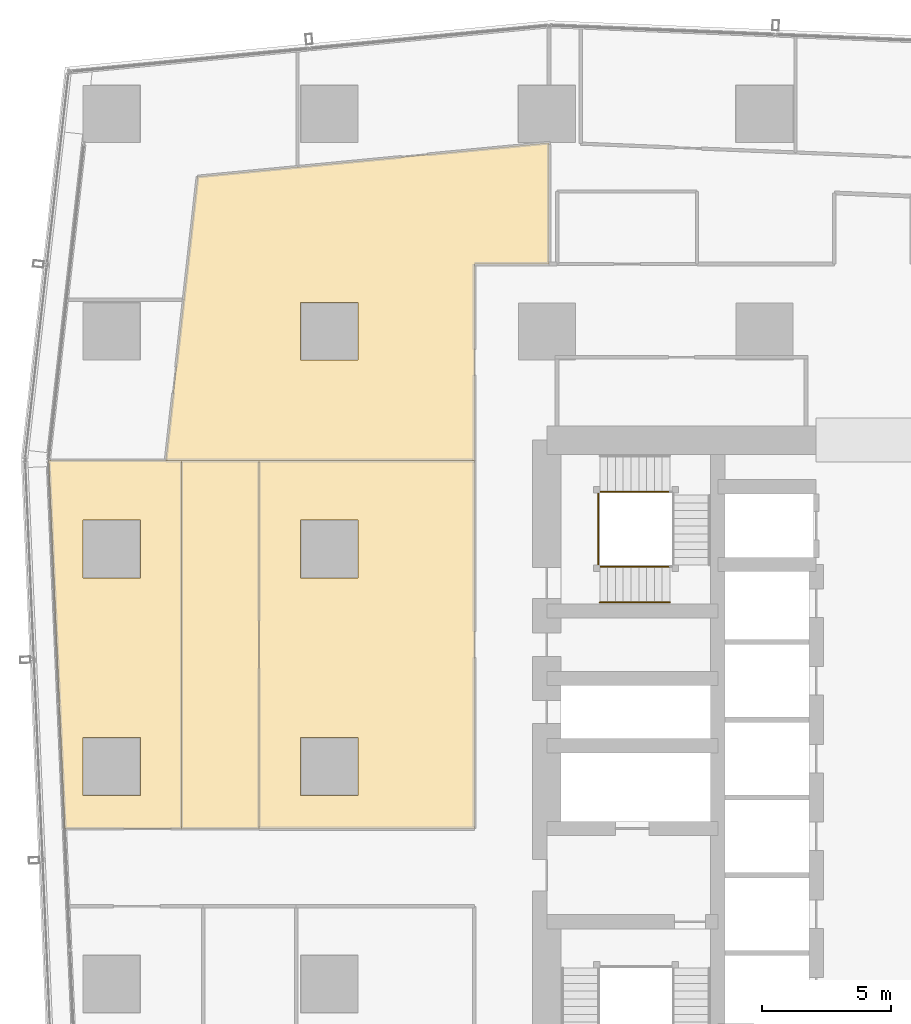
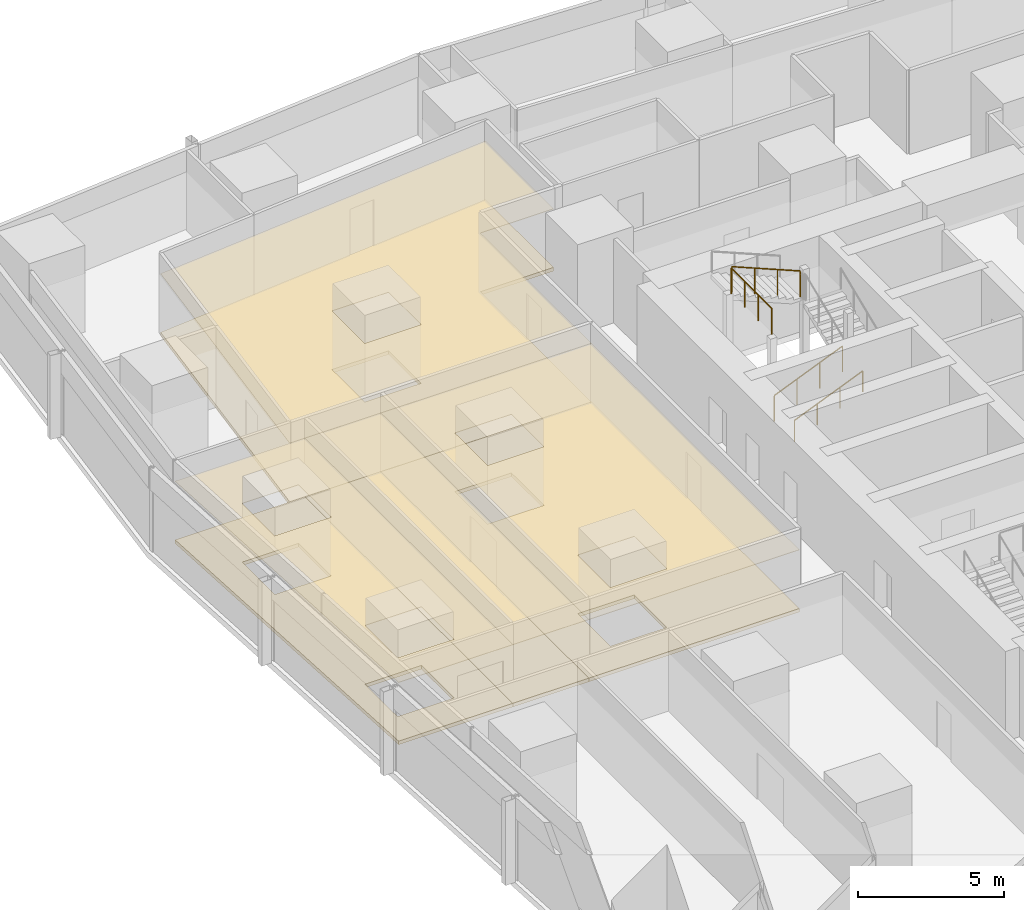
# One storey, part 41 of 45: 8 coverings, 4 railings.
"""IFC4 building model written with IfcOpenShell, lengths in metres."""

from ifc_helpers import new_model, si_unit, direction, frame, origin, origin_2d, place, context, subcontext, project, spatial, polyline, circle, outline, extrude, material, layer, layer_set, type_object, element, save


model = new_model("IFC4")

# Units and contexts
model_context = context("Model", 3, precision=1e-05, world=origin(), true_north=direction((0.0, 1.0)))
body_context = subcontext(model_context, "Body", "Model", "MODEL_VIEW")
ifc_project = project(units=[si_unit("LENGTHUNIT", "METRE"), si_unit("AREAUNIT", "SQUARE_METRE"), si_unit("VOLUMEUNIT", "CUBIC_METRE"), si_unit("PLANEANGLEUNIT", "RADIAN"), si_unit("MASSUNIT", "GRAM", prefix="KILO")], contexts=[model_context])

# Site, building, storey
site_placement = place(None, origin())
site = spatial("IfcSite", under=ifc_project, at=site_placement, CompositionType="ELEMENT")
building_placement = place(site_placement, origin())
building = spatial("IfcBuilding", under=site, at=building_placement, Name="Rekha Terrace Tower", CompositionType="ELEMENT")
storey_placement = place(building_placement, frame((0.0, 0.0, 32.89990234375)))
storey = spatial("IfcBuildingStorey", under=building, at=storey_placement, Name="L07", CompositionType="ELEMENT", Elevation=32.89990234375)

# Coverings
ifc_material_1 = material(Name="Mineral fibre tile in exposed grid", Category="finish")
ifc_layer_1 = layer(ifc_material_1, 0.02001953125)
ifc_layer_set_1 = layer_set([ifc_layer_1], Name="Mineral fibre tile in exposed grid")
covering_type_1 = type_object("IfcCoveringType", Name="CL1 600x1200 office grid ceiling", PredefinedType="CEILING", material=ifc_layer_set_1)
covering_1_placement = place(storey_placement, frame((0.0, 0.0, 2.580078125)))
element("IfcCovering", 1, at=covering_1_placement, inside=storey, type_object=covering_type_1, Name="Ceiling L07-O4", PredefinedType="CEILING", context=body_context, shape_type="SweptSolid", body=[
    extrude(outline(polyline([(11.718994140625, 56.37109375), (11.18505859375, 51.617919921875), (10.488037109375, 45.412109375), (22.39990234375, 45.412109375), (22.39990234375, 53.0), (25.2900390625, 53.0), (25.2900390625, 57.676025390625), (15.572021484375, 56.741943359375), (15.572021484375, 56.740966796875), (11.718994140625, 56.37109375)]), holes=[polyline([(17.9150390625, 49.284912109375), (15.68505859375, 49.284912109375), (15.68505859375, 51.514892578125), (17.9150390625, 51.514892578125), (17.9150390625, 49.284912109375)])]), origin(), (0.0, 0.0, 1.0), 0.02001953125),
])
covering_2_placement = place(storey_placement, frame((0.0, 0.0, 2.580078125)))
element("IfcCovering", 2, at=covering_2_placement, inside=storey, type_object=covering_type_1, Name="Ceiling L07-20", PredefinedType="CEILING", context=body_context, shape_type="SweptSolid", body=[
    extrude(outline(polyline([(6.5859375, 31.199951171875), (11.090087890625, 31.199951171875), (11.090087890625, 45.410888671875), (5.964111328125, 45.410888671875), (6.5859375, 31.199951171875)]), holes=[polyline([(9.514892578125, 32.485107421875), (7.284912109375, 32.485107421875), (7.284912109375, 34.715087890625), (9.514892578125, 34.715087890625), (9.514892578125, 32.485107421875)]), polyline([(9.514892578125, 40.885009765625), (7.284912109375, 40.885009765625), (7.284912109375, 43.114990234375), (9.514892578125, 43.114990234375), (9.514892578125, 40.885009765625)])]), origin(), (0.0, 0.0, 1.0), 0.02001953125),
])
covering_3_placement = place(storey_placement, frame((0.0, 0.0, 2.580078125)))
element("IfcCovering", 3, at=covering_3_placement, inside=storey, type_object=covering_type_1, Name="Ceiling L07-21", PredefinedType="CEILING", context=body_context, shape_type="SweptSolid", body=[
    extrude(outline(polyline([(14.090087890625, 31.199951171875), (14.090087890625, 45.410888671875), (11.090087890625, 45.410888671875), (11.090087890625, 31.199951171875), (14.090087890625, 31.199951171875)])), origin(), (0.0, 0.0, 1.0), 0.02001953125),
])
covering_4_placement = place(storey_placement, frame((0.0, 0.0, 2.580078125)))
element("IfcCovering", 4, at=covering_4_placement, inside=storey, type_object=covering_type_1, Name="Ceiling L07-O5", PredefinedType="CEILING", context=body_context, shape_type="SweptSolid", body=[
    extrude(outline(polyline([(14.090087890625, 45.410888671875), (14.090087890625, 31.199951171875), (22.39990234375, 31.199951171875), (22.39990234375, 45.410888671875), (14.090087890625, 45.410888671875)]), holes=[polyline([(17.9150390625, 32.485107421875), (15.68505859375, 32.485107421875), (15.68505859375, 34.715087890625), (17.9150390625, 34.715087890625), (17.9150390625, 32.485107421875)]), polyline([(17.9150390625, 40.885009765625), (15.68505859375, 40.885009765625), (15.68505859375, 43.114990234375), (17.9150390625, 43.114990234375), (17.9150390625, 40.885009765625)])]), origin(), (0.0, 0.0, 1.0), 0.02001953125),
])

# Railings
ifc_material_2 = material(Name="Stainless steel balustrade", Category="steel")
railing_type_1 = type_object("IfcRailingType", Name="GR1 1100 stair guard", PredefinedType="GUARDRAIL", material=ifc_material_2)
railing_1_placement = place(storey_placement, frame((27.25, 41.31494140625, 0.125)))
element("IfcRailing", 5, at=railing_1_placement, inside=storey, type_object=railing_type_1, Name="Guard ST4 L07 flight 1", PredefinedType="GUARDRAIL", context=body_context, shape_type="SweptSolid", body=[
    extrude(circle(Radius=0.02392578125, at=origin_2d()), frame((0.0, 0.0, 1.076171875), z_axis=(0.923074453586, 0.0, 0.384621311341), x_axis=(0.0, 1.0, 0.0)), (0.0, 0.0, 1.0), 2.925048828125),
    extrude(circle(Radius=0.02099609375, at=origin_2d()), origin(), (0.0, 0.0, 1.0), 1.052001953125),
    extrude(circle(Radius=0.02099609375, at=origin_2d()), frame((0.89990234375, 0.0, 0.375)), (0.0, 0.0, 1.0), 1.052001953125),
    extrude(circle(Radius=0.02099609375, at=origin_2d()), frame((1.800048828125, 0.0, 0.75)), (0.0, 0.0, 1.0), 1.052001953125),
    extrude(circle(Radius=0.02099609375, at=origin_2d()), frame((2.699951171875, 0.0, 1.125)), (0.0, 0.0, 1.0), 1.052001953125),
])
railing_2_placement = place(storey_placement, frame((29.949951171875, 44.2099609375, 2.625)))
element("IfcRailing", 6, at=railing_2_placement, inside=storey, type_object=railing_type_1, Name="Guard ST4 L07 flight 3", PredefinedType="GUARDRAIL", context=body_context, shape_type="SweptSolid", body=[
    extrude(circle(Radius=0.02392578125, at=origin_2d()), frame((0.0, 0.0, 1.076171875), z_axis=(-0.923074453586, 0.0, 0.384621311341), x_axis=(0.0, -1.0, 0.0)), (0.0, 0.0, 1.0), 2.925048828125),
    extrude(circle(Radius=0.02099609375, at=origin_2d()), origin(), (0.0, 0.0, 1.0), 1.052001953125),
    extrude(circle(Radius=0.02099609375, at=origin_2d()), frame((-0.89990234375, 0.0, 0.375)), (0.0, 0.0, 1.0), 1.052001953125),
    extrude(circle(Radius=0.02099609375, at=origin_2d()), frame((-1.800048828125, 0.0, 0.75)), (0.0, 0.0, 1.0), 1.052001953125),
    extrude(circle(Radius=0.02099609375, at=origin_2d()), frame((-2.699951171875, 0.0, 1.125)), (0.0, 0.0, 1.0), 1.052001953125),
])
railing_3_placement = place(storey_placement, frame((27.18994140625, 41.375, 3.75)))
element("IfcRailing", 7, at=railing_3_placement, inside=storey, type_object=railing_type_1, Name="Guard ST4 L07 landing 4", PredefinedType="GUARDRAIL", context=body_context, shape_type="SweptSolid", body=[
    extrude(circle(Radius=0.02392578125, at=origin_2d()), frame((0.0, 0.0, 1.076171875), z_axis=(0.0, 1.0, 0.0), x_axis=(-1.0, 0.0, 0.0)), (0.0, 0.0, 1.0), 2.77490234375),
    extrude(circle(Radius=0.02099609375, at=origin_2d()), origin(), (0.0, 0.0, 1.0), 1.052001953125),
    extrude(circle(Radius=0.02099609375, at=origin_2d()), frame((0.0, 0.925048828125, 0.0)), (0.0, 0.0, 1.0), 1.052001953125),
    extrude(circle(Radius=0.02099609375, at=origin_2d()), frame((0.0, 1.849853515625, 0.0)), (0.0, 0.0, 1.0), 1.052001953125),
    extrude(circle(Radius=0.02099609375, at=origin_2d()), frame((0.0, 2.77490234375, 0.0)), (0.0, 0.0, 1.0), 1.052001953125),
])
ifc_material_3 = material(Name="Stainless steel tube", Category="steel")
railing_type_2 = type_object("IfcRailingType", Name="HR1 900 stair handrail", PredefinedType="HANDRAIL", material=ifc_material_3)
railing_4_placement = place(storey_placement, frame((27.25, 39.93505859375, 0.125)))
element("IfcRailing", 8, at=railing_4_placement, inside=storey, type_object=railing_type_2, Name="Handrail ST4 L07 flight 1", PredefinedType="HANDRAIL", context=body_context, shape_type="SweptSolid", body=[
    extrude(circle(Radius=0.02392578125, at=origin_2d()), frame((0.0, 0.0, 0.8759765625), z_axis=(0.923074453586, 0.0, 0.384621311341), x_axis=(0.0, 1.0, 0.0)), (0.0, 0.0, 1.0), 2.925048828125),
    extrude(circle(Radius=0.02099609375, at=origin_2d()), origin(), (0.0, 0.0, 1.0), 0.851806640625),
    extrude(circle(Radius=0.02099609375, at=origin_2d()), frame((0.89990234375, 0.0, 0.375)), (0.0, 0.0, 1.0), 0.851806640625),
    extrude(circle(Radius=0.02099609375, at=origin_2d()), frame((1.800048828125, 0.0, 0.75)), (0.0, 0.0, 1.0), 0.851806640625),
    extrude(circle(Radius=0.02099609375, at=origin_2d()), frame((2.699951171875, 0.0, 1.125)), (0.0, 0.0, 1.0), 0.851806640625),
])

# Coverings
ifc_material_4 = material(Name="Calcium sulphate panels on steel pedestals", Category="steel")
ifc_layer_2 = layer(ifc_material_4, 0.14990234375)
ifc_layer_set_2 = layer_set([ifc_layer_2], Name="Calcium sulphate panels on steel pedestals")
covering_type_2 = type_object("IfcCoveringType", Name="RF1 150 raised access floor", PredefinedType="FLOORING", material=ifc_layer_set_2)
covering_5_placement = place(storey_placement, origin())
element("IfcCovering", 9, at=covering_5_placement, inside=storey, type_object=covering_type_2, Name="Raised floor L07-O4", PredefinedType="FLOORING", context=body_context, shape_type="SweptSolid", body=[
    extrude(outline(polyline([(11.718994140625, 56.37109375), (11.18505859375, 51.617919921875), (10.488037109375, 45.412109375), (22.39990234375, 45.412109375), (22.39990234375, 53.0), (25.2900390625, 53.0), (25.2900390625, 57.676025390625), (15.572021484375, 56.741943359375), (15.572021484375, 56.740966796875), (11.718994140625, 56.37109375)]), holes=[polyline([(17.9150390625, 49.284912109375), (15.68505859375, 49.284912109375), (15.68505859375, 51.514892578125), (17.9150390625, 51.514892578125), (17.9150390625, 49.284912109375)])]), origin(), (0.0, 0.0, 1.0), 0.150146484375),
])
covering_6_placement = place(storey_placement, origin())
element("IfcCovering", 10, at=covering_6_placement, inside=storey, type_object=covering_type_2, Name="Raised floor L07-20", PredefinedType="FLOORING", context=body_context, shape_type="SweptSolid", body=[
    extrude(outline(polyline([(6.5859375, 31.199951171875), (11.090087890625, 31.199951171875), (11.090087890625, 45.410888671875), (5.964111328125, 45.410888671875), (6.5859375, 31.199951171875)]), holes=[polyline([(9.514892578125, 32.485107421875), (7.284912109375, 32.485107421875), (7.284912109375, 34.715087890625), (9.514892578125, 34.715087890625), (9.514892578125, 32.485107421875)]), polyline([(9.514892578125, 40.885009765625), (7.284912109375, 40.885009765625), (7.284912109375, 43.114990234375), (9.514892578125, 43.114990234375), (9.514892578125, 40.885009765625)])]), origin(), (0.0, 0.0, 1.0), 0.150146484375),
])
covering_7_placement = place(storey_placement, origin())
element("IfcCovering", 11, at=covering_7_placement, inside=storey, type_object=covering_type_2, Name="Raised floor L07-21", PredefinedType="FLOORING", context=body_context, shape_type="SweptSolid", body=[
    extrude(outline(polyline([(14.090087890625, 31.199951171875), (14.090087890625, 45.410888671875), (11.090087890625, 45.410888671875), (11.090087890625, 31.199951171875), (14.090087890625, 31.199951171875)])), origin(), (0.0, 0.0, 1.0), 0.150146484375),
])
covering_8_placement = place(storey_placement, origin())
element("IfcCovering", 12, at=covering_8_placement, inside=storey, type_object=covering_type_2, Name="Raised floor L07-O5", PredefinedType="FLOORING", context=body_context, shape_type="SweptSolid", body=[
    extrude(outline(polyline([(14.090087890625, 45.410888671875), (14.090087890625, 31.199951171875), (22.39990234375, 31.199951171875), (22.39990234375, 45.410888671875), (14.090087890625, 45.410888671875)]), holes=[polyline([(17.9150390625, 32.485107421875), (15.68505859375, 32.485107421875), (15.68505859375, 34.715087890625), (17.9150390625, 34.715087890625), (17.9150390625, 32.485107421875)]), polyline([(17.9150390625, 40.885009765625), (15.68505859375, 40.885009765625), (15.68505859375, 43.114990234375), (17.9150390625, 43.114990234375), (17.9150390625, 40.885009765625)])]), origin(), (0.0, 0.0, 1.0), 0.150146484375),
])

save(model, "model.ifc")
